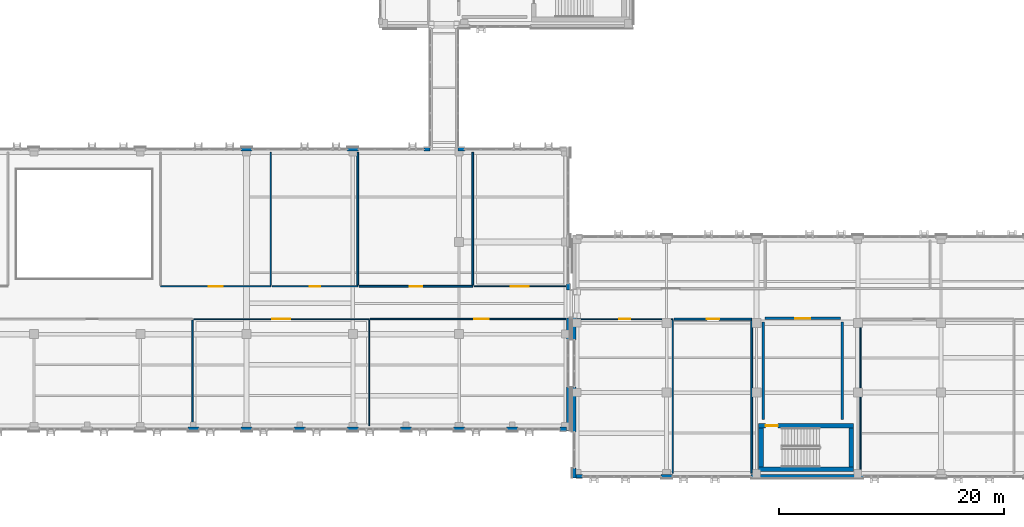
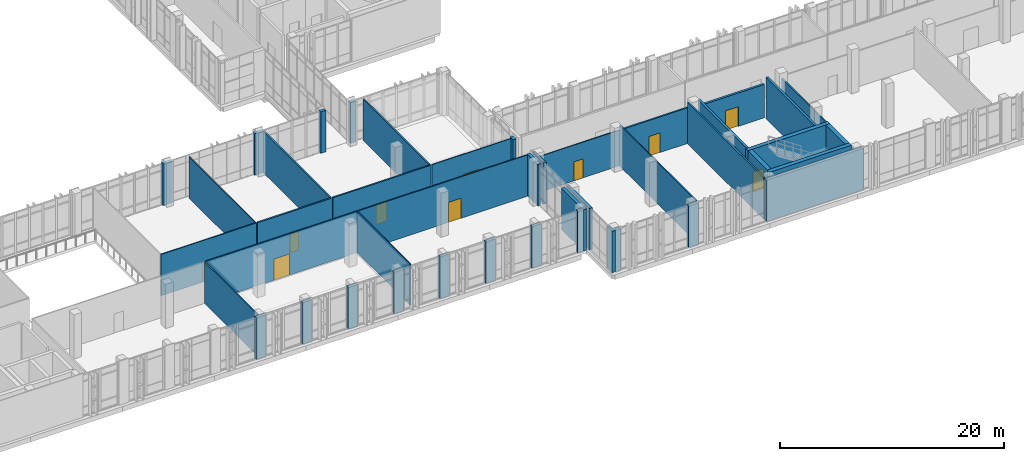
# One storey, part 153 of 189: 44 walls, 10 doors, 10 openings.
"""IFC4 building model written with IfcOpenShell, lengths in metres."""

import ifcopenshell
import ifcopenshell.guid

model = None  # the IFC model being written
_history = None  # IfcOwnerHistory: only IFC2X3 demands one
_inside = {}  # id of a spatial element -> (the spatial element, [elements in it])
_under = {}  # id of a project, library or spatial element -> (it, [spatial elements below it])
_declared = {}  # id of a project -> (the project, [libraries it declares])
_typed = {}  # id of a type object -> (the type object, [elements of that type])
_made_of = {}  # id of a material, layer set ... -> (it, [elements and type objects made of it])


def new_model(schema):
    """Start an empty IFC model of exactly this schema.

    Asked for "IFC4X3", IfcOpenShell would pick the latest addendum, in which some entities
    have other attributes; the version numbers below select the first issue.
    IFC2X3 requires an IfcOwnerHistory on every rooted entity: one is made here for all.
    """
    global model, _history
    if schema == "IFC4X3":
        model = ifcopenshell.file(schema_version=(4, 3, 0, 0))
    else:
        model = ifcopenshell.file(schema=schema)
    _inside.clear()
    _under.clear()
    _declared.clear()
    _typed.clear()
    _made_of.clear()
    _history = None
    if model.schema == "IFC2X3":
        org = make("IfcOrganization", Name="unknown")
        user = make(
            "IfcPersonAndOrganization",
            ThePerson=make("IfcPerson", FamilyName="unknown"),
            TheOrganization=org,
        )
        app = make(
            "IfcApplication",
            ApplicationDeveloper=org,
            Version="unknown",
            ApplicationFullName="unknown",
            ApplicationIdentifier="unknown",
        )
        _history = make(
            "IfcOwnerHistory",
            OwningUser=user,
            OwningApplication=app,
            ChangeAction="ADDED",
            CreationDate=0,
        )
    return model


def make(cls, **values):
    """One entity of the class cls with the attributes given. An attribute that is None is left unset."""
    return model.create_entity(
        cls, **{name: value for name, value in values.items() if value is not None}
    )


def rooted(cls, **values):
    """An entity with a GlobalId (a new one), such as an element, a storey or a relation."""
    return make(cls, GlobalId=ifcopenshell.guid.new(), OwnerHistory=_history, **values)


def si_unit(unit_type, name, prefix=None):
    """IfcSIUnit, for example si_unit("LENGTHUNIT", "METRE", prefix="MILLI")."""
    return make("IfcSIUnit", UnitType=unit_type, Prefix=prefix, Name=name)


def assignment(units):
    """IfcUnitAssignment: the units of a project."""
    return None if units is None else make("IfcUnitAssignment", Units=units)


def point(xyz):
    """IfcCartesianPoint."""
    return None if xyz is None else make("IfcCartesianPoint", Coordinates=xyz)


def direction(xyz):
    """IfcDirection."""
    return None if xyz is None else make("IfcDirection", DirectionRatios=xyz)


def frame(location, z_axis=None, x_axis=None):
    """IfcAxis2Placement3D, a coordinate frame: its origin and axes. An axis left out is left unset."""
    return make(
        "IfcAxis2Placement3D",
        Location=point(location),
        Axis=direction(z_axis),
        RefDirection=direction(x_axis),
    )


def frame_2d(location, x_axis=None):
    """IfcAxis2Placement2D, a coordinate frame in the plane: its origin and x axis."""
    return make(
        "IfcAxis2Placement2D", Location=point(location), RefDirection=direction(x_axis)
    )


def origin():
    """The frame at (0, 0, 0) with its axes left unset."""
    return frame((0.0, 0.0, 0.0))


def place(relative_to, where):
    """IfcLocalPlacement: puts the frame where relative to a parent placement (None: the world)."""
    return make(
        "IfcLocalPlacement", PlacementRelTo=relative_to, RelativePlacement=where
    )


def context(
    kind, dimensions, precision=None, world=None, true_north=None, identifier=None
):
    """IfcGeometricRepresentationContext, for example the 3D "Model" context."""
    return make(
        "IfcGeometricRepresentationContext",
        ContextIdentifier=identifier,
        ContextType=kind,
        CoordinateSpaceDimension=dimensions,
        Precision=precision,
        WorldCoordinateSystem=world,
        TrueNorth=true_north,
    )


def subcontext(parent, identifier, kind, view, scale=None):
    """IfcGeometricRepresentationSubContext, for example "Body" below "Model"."""
    return make(
        "IfcGeometricRepresentationSubContext",
        ContextIdentifier=identifier,
        ContextType=kind,
        ParentContext=parent,
        TargetScale=scale,
        TargetView=view,
    )


def project(units=None, contexts=None):
    """IfcProject with its units and contexts."""
    return rooted(
        "IfcProject",
        Name="project",
        RepresentationContexts=contexts,
        UnitsInContext=assignment(units),
    )


def spatial(cls, under=None, at=None, **own):
    """A site, building, storey or space (cls), placed at a placement, below another one or the project."""
    s = rooted(cls, ObjectPlacement=at, **own)
    if under is not None:
        _under.setdefault(under.id(), (under, []))[1].append(s)
    return s


def profile(cls, at=None, kind="AREA", **sizes):
    """A parametric profile (cls). Its sizes go by their IFC names, for example OverallWidth=200.0."""
    return make(cls, ProfileType=kind, Position=at, **sizes)


def rectangle(**sizes):
    """IfcRectangleProfileDef."""
    return profile("IfcRectangleProfileDef", **sizes)


def extrude(swept, where, along, depth):
    """IfcExtrudedAreaSolid: the profile swept, set in the frame where, extruded along a direction by depth."""
    return make(
        "IfcExtrudedAreaSolid",
        SweptArea=swept,
        Position=where,
        ExtrudedDirection=direction(along),
        Depth=depth,
    )


def shape(context_of_items, identifier, shape_type, items):
    """IfcShapeRepresentation: the items that make up one representation, for example the "Body"."""
    return make(
        "IfcShapeRepresentation",
        ContextOfItems=context_of_items,
        RepresentationIdentifier=identifier,
        RepresentationType=shape_type,
        Items=items,
    )


def material(Name=None, Category=None):
    """IfcMaterial."""
    return make("IfcMaterial", Name=Name, Category=Category)


def layer(
    of_material, thickness, ventilated=None, Name=None, Category=None, Priority=None
):
    """IfcMaterialLayer: one layer of a wall or slab, of a material (None: an air gap)."""
    return make(
        "IfcMaterialLayer",
        Material=of_material,
        LayerThickness=thickness,
        IsVentilated=ventilated,
        Name=Name,
        Category=Category,
        Priority=Priority,
    )


def layer_set(layers, Name=None):
    """IfcMaterialLayerSet."""
    return make("IfcMaterialLayerSet", MaterialLayers=layers, LayerSetName=Name)


def made_of(thing, what):
    """Note that an element or type object is made of a material, layer set ...; save() writes the relation."""
    if what is not None:
        _made_of.setdefault(what.id(), (what, []))[1].append(thing)
    return thing


def type_object(cls, material=None, **own):
    """A type object (cls), such as IfcWallType, which elements share."""
    return made_of(rooted(cls, **own), material)


def element(
    cls,
    number,
    at=None,
    inside=None,
    cuts=None,
    type_object=None,
    material=None,
    context=None,
    identifier="Body",
    shape_type=None,
    held_by="IfcProductDefinitionShape",
    body=None,
    shapes=None,
    **own,
):
    """One element of the class cls, such as IfcWall. Its Tag is "e" and its number.

    at: its placement. inside: the storey or other place that contains it. cuts: it is an
    opening in that element (IfcRelVoidsElement). A single representation is given by context,
    identifier, shape_type and body (its items); several are given by shapes. held_by: the class
    of the entity that holds the representations. save() writes the other relations.
    """
    e = rooted(cls, Tag="e%d" % number, ObjectPlacement=at, **own)
    if body is not None:
        shapes = [shape(context, identifier, shape_type, body)]
    if shapes is not None:
        e.Representation = make(held_by, Representations=shapes)
    if inside is not None:
        _inside.setdefault(inside.id(), (inside, []))[1].append(e)
    if cuts is not None:
        rooted(
            "IfcRelVoidsElement", RelatingBuildingElement=cuts, RelatedOpeningElement=e
        )
    if type_object is not None:
        _typed.setdefault(type_object.id(), (type_object, []))[1].append(e)
    return made_of(e, material)


def fill(opening, filler):
    """IfcRelFillsElement: the door or window that sits in an opening."""
    return rooted(
        "IfcRelFillsElement",
        RelatingOpeningElement=opening,
        RelatedBuildingElement=filler,
    )


def aggregate(whole, parts):
    """IfcRelAggregates: a whole, such as a stair, and the parts it consists of."""
    return rooted("IfcRelAggregates", RelatingObject=whole, RelatedObjects=parts)


def save(model, path):
    """Write the relations noted so far, then the file.

    IfcRelAggregates (storeys below a building ...), IfcRelContainedInSpatialStructure (elements
    in a storey), IfcRelDefinesByType, IfcRelAssociatesMaterial and IfcRelDeclares: one each for
    every whole, place, type object, material and project.
    """
    for whole, parts in _under.values():
        aggregate(whole, parts)
    for where, things in _inside.values():
        rooted(
            "IfcRelContainedInSpatialStructure",
            RelatedElements=things,
            RelatingStructure=where,
        )
    for kind, things in _typed.values():
        rooted("IfcRelDefinesByType", RelatedObjects=things, RelatingType=kind)
    for what, things in _made_of.values():
        rooted("IfcRelAssociatesMaterial", RelatedObjects=things, RelatingMaterial=what)
    for by, libraries in _declared.values():
        rooted("IfcRelDeclares", RelatingContext=by, RelatedDefinitions=libraries)
    model.write(path)


model = new_model("IFC4")

# Units and contexts
model_context = context("Model", 3, precision=1e-05, world=origin(), true_north=direction((0.0, 1.0)))
body_context = subcontext(model_context, "Body", "Model", "MODEL_VIEW")
ifc_project = project(units=[si_unit("LENGTHUNIT", "METRE"), si_unit("AREAUNIT", "SQUARE_METRE"), si_unit("VOLUMEUNIT", "CUBIC_METRE"), si_unit("PLANEANGLEUNIT", "RADIAN"), si_unit("MASSUNIT", "GRAM", prefix="KILO")], contexts=[model_context])

# Site, building, storey
site_placement = place(None, origin())
site = spatial("IfcSite", under=ifc_project, at=site_placement, CompositionType="ELEMENT")
building_placement = place(site_placement, origin())
building = spatial("IfcBuilding", under=site, at=building_placement, Name="Qalavern Law Courts", CompositionType="ELEMENT")
storey_placement = place(building_placement, frame((0.0, 0.0, 5.39990234375)))
storey = spatial("IfcBuildingStorey", under=building, at=storey_placement, Name="L01", CompositionType="ELEMENT", Elevation=5.39990234375)

# Walls
ifc_material_1 = material(Name="Concrete C40/50", Category="concrete")
ifc_layer_1 = layer(ifc_material_1, 0.324951171875)
ifc_layer_set_1 = layer_set([ifc_layer_1], Name="Concrete C40/50")
wall_type_1 = type_object("IfcWallType", Name="ENV-EW-325", PredefinedType="SOLIDWALL", material=ifc_layer_set_1)
for number, where, z_axis, x_axis, name in (
    (1, (67.2099609375, 5.362548828125, 0.0), (0.0, 0.0, 1.0), (1.0, 0.0, 0.0), "V2 exterior pier wall L01 south 5"),
    (2, (71.93701171875, 5.362548828125, 0.0), (0.0, 0.0, 1.0), (1.0, 0.0, 0.0), "V2 exterior pier wall L01 south 6"),
    (3, (76.6640625, 5.362548828125, 0.0), (0.0, 0.0, 1.0), (1.0, 0.0, 0.0), "V2 exterior pier wall L01 south 7"),
    (4, (81.391357421875, 5.362548828125, 0.0), (0.0, 0.0, 1.0), (1.0, 0.0, 0.0), "V2 exterior pier wall L01 south 8"),
    (5, (86.118896484375, 5.362548828125, 0.0), (0.0, 0.0, 1.0), (1.0, 0.0, 0.0), "V2 exterior pier wall L01 south 9"),
    (6, (90.845703125, 5.362548828125, 0.0), (0.0, 0.0, 1.0), (1.0, 0.0, 0.0), "V2 exterior pier wall L01 south 10"),
    (7, (95.572998046875, 5.362548828125, 0.0), (0.0, 0.0, 1.0), (1.0, 0.0, 0.0), "V2 exterior pier wall L01 south 11"),
):
    element("IfcWall", number, at=place(storey_placement, frame(where, z_axis=z_axis, x_axis=x_axis)), inside=storey, type_object=wall_type_1, Name=name, PredefinedType="SOLIDWALL", context=body_context, shape_type="SweptSolid", body=[
        extrude(rectangle(XDim=1.0, YDim=0.324951171875, at=frame_2d((0.5, 0.0))), origin(), (0.0, 0.0, 1.0), 4.510009765625),
    ])
wall_1_placement = place(storey_placement, frame((100.300048828125, 5.362548828125, 0.0), z_axis=(0.0, 0.0, 1.0), x_axis=(1.0, 0.0, 0.0)))
element("IfcWall", 8, at=wall_1_placement, inside=storey, type_object=wall_type_1, Name="V2 exterior pier wall L01 south 12", PredefinedType="SOLIDWALL", context=body_context, shape_type="SweptSolid", body=[
    extrude(rectangle(XDim=0.579833984375, YDim=0.324951171875, at=frame_2d((0.2900390625, 0.0))), origin(), (0.0, 0.0, 1.0), 4.510009765625),
])
wall_2_placement = place(storey_placement, frame((101.03759765625, 5.199951171875, 0.0), z_axis=(0.0, 0.0, 1.0), x_axis=(0.0, 1.0, 0.0)))
element("IfcWall", 9, at=wall_2_placement, inside=storey, type_object=wall_type_1, Name="V2 exterior pier wall L01 east 1", PredefinedType="SOLIDWALL", context=body_context, shape_type="SweptSolid", body=[
    extrude(rectangle(XDim=3.900146484375, YDim=0.324951171875, at=frame_2d((1.9501953125, 0.0))), origin(), (0.0, 0.0, 1.0), 4.510009765625),
])
wall_3_placement = place(storey_placement, frame((101.03759765625, 13.300048828125, 0.0), z_axis=(0.0, 0.0, 1.0), x_axis=(0.0, 1.0, 0.0)))
element("IfcWall", 10, at=wall_3_placement, inside=storey, type_object=wall_type_1, Name="V2 exterior pier wall L01 east 2", PredefinedType="SOLIDWALL", context=body_context, shape_type="SweptSolid", body=[
    extrude(rectangle(XDim=1.949951171875, YDim=0.324951171875, at=frame_2d((0.97509765625, 0.0))), origin(), (0.0, 0.0, 1.0), 4.510009765625),
])
wall_4_placement = place(storey_placement, frame((101.03759765625, 17.75, 0.0), z_axis=(0.0, 0.0, 1.0), x_axis=(0.0, 1.0, 0.0)))
element("IfcWall", 11, at=wall_4_placement, inside=storey, type_object=wall_type_1, Name="V2 exterior pier wall L01 east 1", PredefinedType="SOLIDWALL", context=body_context, shape_type="SweptSolid", body=[
    extrude(rectangle(XDim=0.550048828125, YDim=0.324951171875, at=frame_2d((0.27490234375, 0.0))), origin(), (0.0, 0.0, 1.0), 4.510009765625),
])
wall_5_placement = place(storey_placement, frame((91.845703125, 30.237548828125, 0.0), z_axis=(0.0, 0.0, 1.0), x_axis=(-1.0, 0.0, 0.0)))
element("IfcWall", 12, at=wall_5_placement, inside=storey, type_object=wall_type_1, Name="V2 exterior pier wall L01 north 2", PredefinedType="SOLIDWALL", context=body_context, shape_type="SweptSolid", body=[
    extrude(rectangle(XDim=0.595703125, YDim=0.324951171875, at=frame_2d((0.2978515625, 0.0))), origin(), (0.0, 0.0, 1.0), 4.510009765625),
])
wall_6_placement = place(storey_placement, frame((88.75, 30.237548828125, 0.0), z_axis=(0.0, 0.0, 1.0), x_axis=(-1.0, 0.0, 0.0)))
element("IfcWall", 13, at=wall_6_placement, inside=storey, type_object=wall_type_1, Name="V2 exterior pier wall L01 north 1", PredefinedType="SOLIDWALL", context=body_context, shape_type="SweptSolid", body=[
    extrude(rectangle(XDim=0.550048828125, YDim=0.324951171875, at=frame_2d((0.27490234375, 0.0))), origin(), (0.0, 0.0, 1.0), 4.510009765625),
])
for number, where, z_axis, x_axis, name in (
    (14, (82.391357421875, 30.237548828125, 0.0), (0.0, 0.0, 1.0), (-1.0, 0.0, 0.0), "V2 exterior pier wall L01 north 2"),
    (15, (72.93701171875, 30.237548828125, 0.0), (0.0, 0.0, 1.0), (-1.0, 0.0, 0.0), "V2 exterior pier wall L01 north 3"),
):
    element("IfcWall", number, at=place(storey_placement, frame(where, z_axis=z_axis, x_axis=x_axis)), inside=storey, type_object=wall_type_1, Name=name, PredefinedType="SOLIDWALL", context=body_context, shape_type="SweptSolid", body=[
        extrude(rectangle(XDim=1.0, YDim=0.324951171875, at=frame_2d((0.5, 0.0))), origin(), (0.0, 0.0, 1.0), 4.510009765625),
    ])
wall_7_placement = place(storey_placement, frame((101.739990234375, 1.16259765625, 0.0), z_axis=(0.0, 0.0, 1.0), x_axis=(1.0, 0.0, 0.0)))
element("IfcWall", 16, at=wall_7_placement, inside=storey, type_object=wall_type_1, Name="V6 exterior pier wall L01 south 1", PredefinedType="SOLIDWALL", context=body_context, shape_type="SweptSolid", body=[
    extrude(rectangle(XDim=0.580078125, YDim=0.324951171875, at=frame_2d((0.2900390625, 0.0))), origin(), (0.0, 0.0, 1.0), 4.510009765625),
])
wall_8_placement = place(storey_placement, frame((109.300048828125, 1.16259765625, 0.0), z_axis=(0.0, 0.0, 1.0), x_axis=(1.0, 0.0, 0.0)))
element("IfcWall", 17, at=wall_8_placement, inside=storey, type_object=wall_type_1, Name="V6 exterior pier wall L01 south 2", PredefinedType="SOLIDWALL", context=body_context, shape_type="SweptSolid", body=[
    extrude(rectangle(XDim=1.0, YDim=0.324951171875, at=frame_2d((0.5, 0.0))), origin(), (0.0, 0.0, 1.0), 4.510009765625),
])
wall_9_placement = place(storey_placement, frame((117.300048828125, 1.16259765625, 0.0), z_axis=(0.0, 0.0, 1.0), x_axis=(1.0, 0.0, 0.0)))
element("IfcWall", 18, at=wall_9_placement, inside=storey, type_object=wall_type_1, Name="V6 exterior pier wall L01 south 3", PredefinedType="SOLIDWALL", context=body_context, shape_type="SweptSolid", body=[
    extrude(rectangle(XDim=10.0, YDim=0.324951171875, at=frame_2d((5.0, 0.0))), origin(), (0.0, 0.0, 1.0), 4.510009765625),
])
wall_10_placement = place(storey_placement, frame((101.58251953125, 15.25, 0.0), z_axis=(0.0, 0.0, 1.0), x_axis=(0.0, -1.0, 0.0)))
element("IfcWall", 19, at=wall_10_placement, inside=storey, type_object=wall_type_1, Name="V6 exterior pier wall L01 west 1", PredefinedType="SOLIDWALL", context=body_context, shape_type="SweptSolid", body=[
    extrude(rectangle(XDim=1.949951171875, YDim=0.324951171875, at=frame_2d((0.97509765625, 0.0))), origin(), (0.0, 0.0, 1.0), 4.510009765625),
])
wall_11_placement = place(storey_placement, frame((101.58251953125, 9.10009765625, 0.0), z_axis=(0.0, 0.0, 1.0), x_axis=(0.0, -1.0, 0.0)))
element("IfcWall", 20, at=wall_11_placement, inside=storey, type_object=wall_type_1, Name="V6 exterior pier wall L01 west 2", PredefinedType="SOLIDWALL", context=body_context, shape_type="SweptSolid", body=[
    extrude(rectangle(XDim=4.0, YDim=0.324951171875, at=frame_2d((2.0, 0.0))), origin(), (0.0, 0.0, 1.0), 4.510009765625),
])
wall_12_placement = place(storey_placement, frame((101.58251953125, 1.89990234375, 0.0), z_axis=(0.0, 0.0, 1.0), x_axis=(0.0, -1.0, 0.0)))
element("IfcWall", 21, at=wall_12_placement, inside=storey, type_object=wall_type_1, Name="V6 exterior pier wall L01 west 3", PredefinedType="SOLIDWALL", context=body_context, shape_type="SweptSolid", body=[
    extrude(rectangle(XDim=0.89990234375, YDim=0.324951171875, at=frame_2d((0.449951171875, 0.0))), origin(), (0.0, 0.0, 1.0), 4.510009765625),
])
ifc_material_2 = material(Name="Concrete C45/55", Category="concrete")
ifc_layer_2 = layer(ifc_material_2, 0.4150390625)
ifc_layer_set_2 = layer_set([ifc_layer_2], Name="Concrete C45/55")
wall_type_2 = type_object("IfcWallType", Name="INT-CW-415", PredefinedType="SHEAR", material=ifc_layer_set_2)
wall_13_placement = place(storey_placement, frame((117.985107421875, 1.79248046875, 0.0), z_axis=(0.0, 0.0, 1.0), x_axis=(1.0, 0.0, 0.0)))
element("IfcWall", 22, at=wall_13_placement, inside=storey, type_object=wall_type_2, Name="Core K5 stair shear wall L01 south", PredefinedType="SHEAR", context=body_context, shape_type="SweptSolid", body=[
    extrude(rectangle(XDim=8.429931640625, YDim=0.4150390625, at=frame_2d((4.21484375, 0.0))), origin(), (0.0, 0.0, 1.0), 4.800048828125),
])
wall_14_placement = place(storey_placement, frame((126.20751953125, 2.0, 0.0), z_axis=(0.0, 0.0, 1.0), x_axis=(0.0, 1.0, 0.0)))
element("IfcWall", 23, at=wall_14_placement, inside=storey, type_object=wall_type_2, Name="Core K5 stair shear wall L01 east", PredefinedType="SHEAR", context=body_context, shape_type="SweptSolid", body=[
    extrude(rectangle(XDim=3.449951171875, YDim=0.4150390625, at=frame_2d((1.72509765625, 0.0))), origin(), (0.0, 0.0, 1.0), 4.800048828125),
])

# Wall, opening, door
wall_15_placement = place(storey_placement, frame((126.4150390625, 5.657470703125, 0.0), z_axis=(0.0, 0.0, 1.0), x_axis=(-1.0, 0.0, 0.0)))
wall_15 = element("IfcWall", 24, at=wall_15_placement, inside=storey, type_object=wall_type_2, Name="Core K5 stair shear wall L01 north", PredefinedType="SHEAR", context=body_context, shape_type="SweptSolid", body=[
    extrude(rectangle(XDim=8.429931640625, YDim=0.4150390625, at=frame_2d((4.21484375, 0.0))), origin(), (0.0, 0.0, 1.0), 4.800048828125),
])
opening_1_placement = place(wall_15_placement, frame((6.715087890625, 0.0, 0.0)))
opening_1 = element("IfcOpeningElement", 25, at=opening_1_placement, cuts=wall_15, Name="Opening L01-D107", PredefinedType="OPENING", context=body_context, shape_type="SweptSolid", body=[
    extrude(rectangle(XDim=1.10009765625, YDim=2.14990234375, at=frame_2d((0.550048828125, 1.074951171875))), frame((0.0, 0.222412109375, 0.0), z_axis=(0.0, -1.0, 0.0), x_axis=(1.0, 0.0, 0.0)), (0.0, 0.0, 1.0), 0.44482421875),
])
ifc_material_3 = material(Name="Steel fire-rated stair enclosure door", Category="steel")
door_type_1 = type_object("IfcDoorType", Name="INT-FD-1100x2150", OperationType="NOTDEFINED", PredefinedType="DOOR", material=ifc_material_3)
door_1_placement = place(opening_1_placement, frame((1.10009765625, 0.0, 0.0), z_axis=(0.0, 0.0, 1.0), x_axis=(-1.0, 0.0, 0.0)))
door_1 = element("IfcDoor", 26, at=door_1_placement, inside=storey, type_object=door_type_1, Name="Stair K5 fire door L01", OperationType="SINGLE_SWING_RIGHT", OverallHeight=2.14990234375, OverallWidth=1.10009765625, PredefinedType="DOOR", context=body_context, shape_type="SweptSolid", body=[
    extrude(rectangle(XDim=1.10009765625, YDim=2.14990234375, at=frame_2d((0.550048828125, 1.074951171875))), frame((0.0, 0.02490234375, 0.0), z_axis=(0.0, -1.0, 0.0), x_axis=(1.0, 0.0, 0.0)), (0.0, 0.0, 1.0), 0.050048828125),
])
fill(opening_1, door_1)

# Wall
wall_16_placement = place(storey_placement, frame((118.1923828125, 5.449951171875, 0.0), z_axis=(0.0, 0.0, 1.0), x_axis=(0.0, -1.0, 0.0)))
element("IfcWall", 27, at=wall_16_placement, inside=storey, type_object=wall_type_2, Name="Core K5 stair shear wall L01 west", PredefinedType="SHEAR", context=body_context, shape_type="SweptSolid", body=[
    extrude(rectangle(XDim=3.449951171875, YDim=0.4150390625, at=frame_2d((1.72509765625, 0.0))), origin(), (0.0, 0.0, 1.0), 4.800048828125),
])

# Wall, opening, door
ifc_layer_3 = layer(ifc_material_1, 0.22509765625)
ifc_layer_set_3 = layer_set([ifc_layer_3], Name="Concrete C40/50")
wall_type_3 = type_object("IfcWallType", Name="INT-FW-225", PredefinedType="PARTITIONING", material=ifc_layer_set_3)
wall_17_placement = place(storey_placement, frame((118.550048828125, 15.199951171875, 0.0), z_axis=(0.0, 0.0, 1.0), x_axis=(1.0, 0.0, 0.0)))
wall_17 = element("IfcWall", 28, at=wall_17_placement, inside=storey, type_object=wall_type_3, Name="Core K5 firefighting/stair lobby fire wall L01", PredefinedType="PARTITIONING", context=body_context, shape_type="SweptSolid", body=[
    extrude(rectangle(XDim=6.699951171875, YDim=0.22509765625, at=frame_2d((3.35009765625, 0.0))), origin(), (0.0, 0.0, 1.0), 3.64013671875),
])
opening_2_placement = place(wall_17_placement, frame((2.699951171875, 0.0, 0.0)))
opening_2 = element("IfcOpeningElement", 29, at=opening_2_placement, cuts=wall_17, Name="Opening L01-D108", PredefinedType="OPENING", context=body_context, shape_type="SweptSolid", body=[
    extrude(rectangle(XDim=1.300048828125, YDim=2.14990234375, at=frame_2d((0.64990234375, 1.074951171875))), frame((0.0, 0.12744140625, 0.0), z_axis=(0.0, -1.0, 0.0), x_axis=(1.0, 0.0, 0.0)), (0.0, 0.0, 1.0), 0.2548828125),
])
ifc_material_4 = material(Name="Steel fire-rated frame and acoustic timber leaves", Category="steel")
door_type_2 = type_object("IfcDoorType", Name="INT-FD-1300x2150", OperationType="DOUBLE_DOOR_SINGLE_SWING", PredefinedType="DOOR", material=ifc_material_4)
door_2_placement = place(opening_2_placement, origin())
door_2 = element("IfcDoor", 30, at=door_2_placement, inside=storey, type_object=door_type_2, Name="Core K5 lobby fire door L01", OperationType="DOUBLE_DOOR_SINGLE_SWING", OverallHeight=2.14990234375, OverallWidth=1.300048828125, PredefinedType="DOOR", context=body_context, shape_type="SweptSolid", body=[
    extrude(rectangle(XDim=1.300048828125, YDim=2.14990234375, at=frame_2d((0.64990234375, 1.074951171875))), frame((0.0, 0.02490234375, 0.0), z_axis=(0.0, -1.0, 0.0), x_axis=(1.0, 0.0, 0.0)), (0.0, 0.0, 1.0), 0.050048828125),
])
fill(opening_2, door_2)

# Walls
for number, where, z_axis, x_axis, name in (
    (31, (118.39990234375, 6.199951171875, 0.0), (0.0, 0.0, 1.0), (0.0, 1.0, 0.0), "Core K5 lobby return wall L01 west"),
    (32, (125.39990234375, 6.199951171875, 0.0), (0.0, 0.0, 1.0), (0.0, 1.0, 0.0), "Core K5 lobby return wall L01 east"),
):
    element("IfcWall", number, at=place(storey_placement, frame(where, z_axis=z_axis, x_axis=x_axis)), inside=storey, type_object=wall_type_3, Name=name, PredefinedType="PARTITIONING", context=body_context, shape_type="SweptSolid", body=[
        extrude(rectangle(XDim=8.699951171875, YDim=0.22509765625, at=frame_2d((4.35009765625, 0.0))), origin(), (0.0, 0.0, 1.0), 4.510009765625),
    ])

# Wall, opening, door
ifc_material_5 = material(Name="Gypsum shaft/chase partition")
ifc_layer_4 = layer(ifc_material_5, 0.092041015625)
ifc_layer_set_4 = layer_set([ifc_layer_4], Name="Gypsum shaft/chase partition")
wall_type_4 = type_object("IfcWallType", Name="INT-PW-092", PredefinedType="PARTITIONING", material=ifc_layer_set_4)
wall_18_placement = place(storey_placement, frame((67.738037109375, 15.139892578125, 0.0), z_axis=(0.0, 0.0, 1.0), x_axis=(1.0, 0.0, 0.0)))
wall_18 = element("IfcWall", 33, at=wall_18_placement, inside=storey, type_object=wall_type_4, Name="Administrative Courtroom corridor partition L01", PredefinedType="PARTITIONING", context=body_context, shape_type="SweptSolid", body=[
    extrude(rectangle(XDim=15.595947265625, YDim=0.092041015625, at=frame_2d((7.7978515625, 0.0))), origin(), (0.0, 0.0, 1.0), 4.510009765625),
])
opening_3_placement = place(wall_18_placement, frame((6.998046875, 0.0, 0.0)))
opening_3 = element("IfcOpeningElement", 34, at=opening_3_placement, cuts=wall_18, Name="Opening L01-D162", PredefinedType="OPENING", context=body_context, shape_type="SweptSolid", body=[
    extrude(rectangle(XDim=1.60009765625, YDim=2.300048828125, at=frame_2d((0.800048828125, 1.14990234375))), frame((0.0, 0.06103515625, 0.0), z_axis=(0.0, -1.0, 0.0), x_axis=(1.0, 0.0, 0.0)), (0.0, 0.0, 1.0), 0.121826171875),
])
ifc_material_6 = material(Name="Acoustic oak double Criminal Courtroom door")
door_type_3 = type_object("IfcDoorType", Name="INT-ID-1600x2300", OperationType="DOUBLE_DOOR_SINGLE_SWING", PredefinedType="DOOR", material=ifc_material_6)
door_3_placement = place(opening_3_placement, frame((1.60009765625, 0.0, 0.0), z_axis=(0.0, 0.0, 1.0), x_axis=(-1.0, 0.0, 0.0)))
door_3 = element("IfcDoor", 35, at=door_3_placement, inside=storey, type_object=door_type_3, Name="Administrative Courtroom door L01", OperationType="DOUBLE_DOOR_SINGLE_SWING", OverallHeight=2.300048828125, OverallWidth=1.60009765625, PredefinedType="DOOR", context=body_context, shape_type="SweptSolid", body=[
    extrude(rectangle(XDim=1.60009765625, YDim=2.300048828125, at=frame_2d((0.800048828125, 1.14990234375))), frame((0.0, 0.02490234375, 0.0), z_axis=(0.0, -1.0, 0.0), x_axis=(1.0, 0.0, 0.0)), (0.0, 0.0, 1.0), 0.050048828125),
])
fill(opening_3, door_3)

# Wall
wall_19_placement = place(storey_placement, frame((83.333984375, 5.639892578125, 0.0), z_axis=(0.0, 0.0, 1.0), x_axis=(0.0, 1.0, 0.0)))
element("IfcWall", 36, at=wall_19_placement, inside=storey, type_object=wall_type_4, Name="Administrative Courtroom cross partition L01 east", PredefinedType="PARTITIONING", context=body_context, shape_type="SweptSolid", body=[
    extrude(rectangle(XDim=9.43408203125, YDim=0.092041015625, at=frame_2d((4.717041015625, 0.0))), origin(), (0.0, 0.0, 1.0), 4.510009765625),
])

# Wall, opening, door
wall_20_placement = place(storey_placement, frame((92.66796875, 18.06005859375, 0.0), z_axis=(0.0, 0.0, 1.0), x_axis=(1.0, 0.0, 0.0)))
wall_20 = element("IfcWall", 37, at=wall_20_placement, inside=storey, type_object=wall_type_4, Name="Administrative Courtroom corridor partition L01", PredefinedType="PARTITIONING", context=body_context, shape_type="SweptSolid", body=[
    extrude(rectangle(XDim=8.152099609375, YDim=0.092041015625, at=frame_2d((4.076171875, 0.0))), origin(), (0.0, 0.0, 1.0), 4.510009765625),
])
opening_4_placement = place(wall_20_placement, frame((3.27587890625, 0.0, 0.0)))
opening_4 = element("IfcOpeningElement", 38, at=opening_4_placement, cuts=wall_20, Name="Opening L01-D167", PredefinedType="OPENING", context=body_context, shape_type="SweptSolid", body=[
    extrude(rectangle(XDim=1.60009765625, YDim=2.300048828125, at=frame_2d((0.800048828125, 1.14990234375))), frame((0.0, 0.06103515625, 0.0), z_axis=(0.0, -1.0, 0.0), x_axis=(1.0, 0.0, 0.0)), (0.0, 0.0, 1.0), 0.121826171875),
])
door_4_placement = place(opening_4_placement, origin())
door_4 = element("IfcDoor", 39, at=door_4_placement, inside=storey, type_object=door_type_3, Name="Administrative Courtroom door L01", OperationType="DOUBLE_DOOR_SINGLE_SWING", OverallHeight=2.300048828125, OverallWidth=1.60009765625, PredefinedType="DOOR", context=body_context, shape_type="SweptSolid", body=[
    extrude(rectangle(XDim=1.60009765625, YDim=2.300048828125, at=frame_2d((0.800048828125, 1.14990234375))), frame((0.0, 0.02490234375, 0.0), z_axis=(0.0, -1.0, 0.0), x_axis=(1.0, 0.0, 0.0)), (0.0, 0.0, 1.0), 0.050048828125),
])
fill(opening_4, door_4)

ifc_material_7 = material(Name="Gypsum sanitary partition")
ifc_layer_5 = layer(ifc_material_7, 0.10205078125)
ifc_layer_set_5 = layer_set([ifc_layer_5], Name="Gypsum sanitary partition")
wall_type_5 = type_object("IfcWallType", Name="INT-PW-102", PredefinedType="PARTITIONING", material=ifc_layer_set_5)
wall_21_placement = place(storey_placement, frame((64.7900390625, 18.06005859375, 0.0), z_axis=(0.0, 0.0, 1.0), x_axis=(1.0, 0.0, 0.0)))
wall_21 = element("IfcWall", 40, at=wall_21_placement, inside=storey, type_object=wall_type_5, Name="Witness Waiting Room corridor partition L01", PredefinedType="PARTITIONING", context=body_context, shape_type="SweptSolid", body=[
    extrude(rectangle(XDim=9.802978515625, YDim=0.10205078125, at=frame_2d((4.9013671875, 0.0))), origin(), (0.0, 0.0, 1.0), 4.510009765625),
])
opening_5_placement = place(wall_21_placement, frame((4.29150390625, 0.0, 0.0)))
opening_5 = element("IfcOpeningElement", 41, at=opening_5_placement, cuts=wall_21, Name="Opening L01-D164", PredefinedType="OPENING", context=body_context, shape_type="SweptSolid", body=[
    extrude(rectangle(XDim=1.219970703125, YDim=2.179931640625, at=frame_2d((0.60986328125, 1.08984375))), frame((0.0, 0.06591796875, 0.0), z_axis=(0.0, -1.0, 0.0), x_axis=(1.0, 0.0, 0.0)), (0.0, 0.0, 1.0), 0.1318359375),
])
ifc_material_8 = material(Name="Wide oak Plenary Boardroom door")
door_type_4 = type_object("IfcDoorType", Name="INT-ID-1220x2180", OperationType="NOTDEFINED", PredefinedType="DOOR", material=ifc_material_8)
door_5_placement = place(opening_5_placement, origin())
door_5 = element("IfcDoor", 42, at=door_5_placement, inside=storey, type_object=door_type_4, Name="Witness Waiting Room door L01", OperationType="SINGLE_SWING_LEFT", OverallHeight=2.179931640625, OverallWidth=1.219970703125, PredefinedType="DOOR", context=body_context, shape_type="SweptSolid", body=[
    extrude(rectangle(XDim=1.219970703125, YDim=2.179931640625, at=frame_2d((0.60986328125, 1.08984375))), frame((0.0, 0.02490234375, 0.0), z_axis=(0.0, -1.0, 0.0), x_axis=(1.0, 0.0, 0.0)), (0.0, 0.0, 1.0), 0.050048828125),
])
fill(opening_5, door_5)

# Wall
wall_22_placement = place(storey_placement, frame((74.593017578125, 18.131103515625, 0.0), z_axis=(0.0, 0.0, 1.0), x_axis=(0.0, 1.0, 0.0)))
element("IfcWall", 43, at=wall_22_placement, inside=storey, type_object=wall_type_5, Name="Witness Waiting Room cross partition L01 east", PredefinedType="PARTITIONING", context=body_context, shape_type="SweptSolid", body=[
    extrude(rectangle(XDim=11.828857421875, YDim=0.10205078125, at=frame_2d((5.91455078125, 0.0))), origin(), (0.0, 0.0, 1.0), 4.510009765625),
])

# Wall, opening, door
wall_23_placement = place(storey_placement, frame((101.800048828125, 15.139892578125, 0.0), z_axis=(0.0, 0.0, 1.0), x_axis=(1.0, 0.0, 0.0)))
wall_23 = element("IfcWall", 44, at=wall_23_placement, inside=storey, type_object=wall_type_5, Name="Public WC corridor partition L01", PredefinedType="PARTITIONING", context=body_context, shape_type="SweptSolid", body=[
    extrude(rectangle(XDim=8.544921875, YDim=0.10205078125, at=frame_2d((4.2724609375, 0.0))), origin(), (0.0, 0.0, 1.0), 3.89013671875),
])
opening_6_placement = place(wall_23_placement, frame((3.802490234375, 0.0, 0.0)))
opening_6 = element("IfcOpeningElement", 45, at=opening_6_placement, cuts=wall_23, Name="Opening L01-D425", PredefinedType="OPENING", context=body_context, shape_type="SweptSolid", body=[
    extrude(rectangle(XDim=0.93994140625, YDim=2.070068359375, at=frame_2d((0.469970703125, 1.03515625))), frame((0.0, 0.06591796875, 0.0), z_axis=(0.0, -1.0, 0.0), x_axis=(1.0, 0.0, 0.0)), (0.0, 0.0, 1.0), 0.1318359375),
])
ifc_material_9 = material(Name="Accessible WC outward-clear door")
door_type_5 = type_object("IfcDoorType", Name="INT-ID-940x2070", OperationType="NOTDEFINED", PredefinedType="DOOR", material=ifc_material_9)
door_6_placement = place(opening_6_placement, frame((0.93994140625, 0.0, 0.0), z_axis=(0.0, 0.0, 1.0), x_axis=(-1.0, 0.0, 0.0)))
door_6 = element("IfcDoor", 46, at=door_6_placement, inside=storey, type_object=door_type_5, Name="Public WC door L01", OperationType="SINGLE_SWING_LEFT", OverallHeight=2.070068359375, OverallWidth=0.93994140625, PredefinedType="DOOR", context=body_context, shape_type="SweptSolid", body=[
    extrude(rectangle(XDim=0.93994140625, YDim=2.070068359375, at=frame_2d((0.469970703125, 1.03515625))), frame((0.0, 0.02490234375, 0.0), z_axis=(0.0, -1.0, 0.0), x_axis=(1.0, 0.0, 0.0)), (0.0, 0.0, 1.0), 0.050048828125),
])
fill(opening_6, door_6)

# Wall
wall_24_placement = place(storey_placement, frame((110.344970703125, 1.43994140625, 0.0), z_axis=(0.0, 0.0, 1.0), x_axis=(0.0, 1.0, 0.0)))
element("IfcWall", 47, at=wall_24_placement, inside=storey, type_object=wall_type_5, Name="Public WC cross partition L01 east", PredefinedType="PARTITIONING", context=body_context, shape_type="SweptSolid", body=[
    extrude(rectangle(XDim=13.629150390625, YDim=0.10205078125, at=frame_2d((6.814453125, 0.0))), origin(), (0.0, 0.0, 1.0), 4.510009765625),
])

# Wall, opening, door
ifc_material_10 = material(Name="Gypsum stud partition")
ifc_layer_6 = layer(ifc_material_10, 0.112060546875)
ifc_layer_set_6 = layer_set([ifc_layer_6], Name="Gypsum stud partition")
wall_type_6 = type_object("IfcWallType", Name="INT-PW-112", PredefinedType="PARTITIONING", material=ifc_layer_set_6)
wall_25_placement = place(storey_placement, frame((83.4541015625, 15.139892578125, 0.0), z_axis=(0.0, 0.0, 1.0), x_axis=(1.0, 0.0, 0.0)))
wall_25 = element("IfcWall", 48, at=wall_25_placement, inside=storey, type_object=wall_type_6, Name="Case Filing Registry corridor partition L01", PredefinedType="PARTITIONING", context=body_context, shape_type="SweptSolid", body=[
    extrude(rectangle(XDim=17.365966796875, YDim=0.112060546875, at=frame_2d((8.68310546875, 0.0))), origin(), (0.0, 0.0, 1.0), 4.510009765625),
])
opening_7_placement = place(wall_25_placement, frame((9.242919921875, 0.0, 0.0)))
opening_7 = element("IfcOpeningElement", 49, at=opening_7_placement, cuts=wall_25, Name="Opening L01-D163", PredefinedType="OPENING", context=body_context, shape_type="SweptSolid", body=[
    extrude(rectangle(XDim=1.280029296875, YDim=2.179931640625, at=frame_2d((0.64013671875, 1.08984375))), frame((0.0, 0.07080078125, 0.0), z_axis=(0.0, -1.0, 0.0), x_axis=(1.0, 0.0, 0.0)), (0.0, 0.0, 1.0), 0.141845703125),
])
ifc_material_11 = material(Name="Wide oak Judicial Conference door")
door_type_6 = type_object("IfcDoorType", Name="INT-ID-1280x2180", OperationType="NOTDEFINED", PredefinedType="DOOR", material=ifc_material_11)
door_7_placement = place(opening_7_placement, frame((1.280029296875, 0.0, 0.0), z_axis=(0.0, 0.0, 1.0), x_axis=(-1.0, 0.0, 0.0)))
door_7 = element("IfcDoor", 50, at=door_7_placement, inside=storey, type_object=door_type_6, Name="Case Filing Registry door L01", OperationType="SINGLE_SWING_RIGHT", OverallHeight=2.179931640625, OverallWidth=1.280029296875, PredefinedType="DOOR", context=body_context, shape_type="SweptSolid", body=[
    extrude(rectangle(XDim=1.280029296875, YDim=2.179931640625, at=frame_2d((0.64013671875, 1.08984375))), frame((0.0, 0.02490234375, 0.0), z_axis=(0.0, -1.0, 0.0), x_axis=(1.0, 0.0, 0.0)), (0.0, 0.0, 1.0), 0.050048828125),
])
fill(opening_7, door_7)

# Walls
ifc_layer_7 = layer(ifc_material_10, 0.132080078125)
ifc_layer_set_7 = layer_set([ifc_layer_7], Name="Gypsum stud partition")
wall_type_7 = type_object("IfcWallType", Name="INT-PW-132", PredefinedType="PARTITIONING", material=ifc_layer_set_7)
wall_26_placement = place(storey_placement, frame((67.617919921875, 5.639892578125, 0.0), z_axis=(0.0, 0.0, 1.0), x_axis=(0.0, 1.0, 0.0)))
element("IfcWall", 51, at=wall_26_placement, inside=storey, type_object=wall_type_7, Name="Public Waiting Concourse cross partition L01 east", PredefinedType="PARTITIONING", context=body_context, shape_type="SweptSolid", body=[
    extrude(rectangle(XDim=9.4140625, YDim=0.132080078125, at=frame_2d((4.70703125, 0.0))), origin(), (0.0, 0.0, 1.0), 4.510009765625),
])
wall_27_placement = place(storey_placement, frame((127.0400390625, 1.43994140625, 0.0), z_axis=(0.0, 0.0, 1.0), x_axis=(0.0, 1.0, 0.0)))
element("IfcWall", 52, at=wall_27_placement, inside=storey, type_object=wall_type_7, Name="Community Mediation Suite cross partition L01 west", PredefinedType="PARTITIONING", context=body_context, shape_type="SweptSolid", body=[
    extrude(rectangle(XDim=13.614013671875, YDim=0.132080078125, at=frame_2d((6.80712890625, 0.0))), origin(), (0.0, 0.0, 1.0), 3.739990234375),
])

# Wall, opening, door
ifc_layer_8 = layer(ifc_material_10, 0.152099609375)
ifc_layer_set_8 = layer_set([ifc_layer_8], Name="Gypsum stud partition")
wall_type_8 = type_object("IfcWallType", Name="INT-PW-152", PredefinedType="PARTITIONING", material=ifc_layer_set_8)
wall_28_placement = place(storey_placement, frame((82.452880859375, 18.06005859375, 0.0), z_axis=(0.0, 0.0, 1.0), x_axis=(1.0, 0.0, 0.0)))
wall_28 = element("IfcWall", 53, at=wall_28_placement, inside=storey, type_object=wall_type_8, Name="Public Waiting Concourse corridor partition L01", PredefinedType="PARTITIONING", context=body_context, shape_type="SweptSolid", body=[
    extrude(rectangle(XDim=10.09521484375, YDim=0.152099609375, at=frame_2d((5.047607421875, 0.0))), origin(), (0.0, 0.0, 1.0), 4.510009765625),
])
opening_8_placement = place(wall_28_placement, frame((4.50244140625, 0.0, 0.0)))
opening_8 = element("IfcOpeningElement", 54, at=opening_8_placement, cuts=wall_28, Name="Opening L01-D166", PredefinedType="OPENING", context=body_context, shape_type="SweptSolid", body=[
    extrude(rectangle(XDim=1.090087890625, YDim=2.1298828125, at=frame_2d((0.544921875, 1.06494140625))), frame((0.0, 0.0908203125, 0.0), z_axis=(0.0, -1.0, 0.0), x_axis=(1.0, 0.0, 0.0)), (0.0, 0.0, 1.0), 0.181884765625),
])
ifc_material_12 = material(Name="Solid oak Senior Judges' Chambers door")
door_type_7 = type_object("IfcDoorType", Name="INT-ID-1090x2130", OperationType="NOTDEFINED", PredefinedType="DOOR", material=ifc_material_12)
door_8_placement = place(opening_8_placement, origin())
door_8 = element("IfcDoor", 55, at=door_8_placement, inside=storey, type_object=door_type_7, Name="Public Waiting Concourse door L01", OperationType="SINGLE_SWING_LEFT", OverallHeight=2.1298828125, OverallWidth=1.090087890625, PredefinedType="DOOR", context=body_context, shape_type="SweptSolid", body=[
    extrude(rectangle(XDim=1.090087890625, YDim=2.1298828125, at=frame_2d((0.544921875, 1.06494140625))), frame((0.0, 0.02490234375, 0.0), z_axis=(0.0, -1.0, 0.0), x_axis=(1.0, 0.0, 0.0)), (0.0, 0.0, 1.0), 0.050048828125),
])
fill(opening_8, door_8)

# Wall
wall_29_placement = place(storey_placement, frame((92.548095703125, 18.156005859375, 0.0), z_axis=(0.0, 0.0, 1.0), x_axis=(0.0, 1.0, 0.0)))
element("IfcWall", 56, at=wall_29_placement, inside=storey, type_object=wall_type_8, Name="Public Waiting Concourse cross partition L01 east", PredefinedType="PARTITIONING", context=body_context, shape_type="SweptSolid", body=[
    extrude(rectangle(XDim=11.803955078125, YDim=0.152099609375, at=frame_2d((5.90185546875, 0.0))), origin(), (0.0, 0.0, 1.0), 4.510009765625),
])

# Wall, opening, door
ifc_layer_9 = layer(ifc_material_10, 0.162109375)
ifc_layer_set_9 = layer_set([ifc_layer_9], Name="Gypsum stud partition")
wall_type_9 = type_object("IfcWallType", Name="INT-PW-162", PredefinedType="PARTITIONING", material=ifc_layer_set_9)
wall_30_placement = place(storey_placement, frame((74.712890625, 18.06005859375, 0.0), z_axis=(0.0, 0.0, 1.0), x_axis=(1.0, 0.0, 0.0)))
wall_30 = element("IfcWall", 57, at=wall_30_placement, inside=storey, type_object=wall_type_9, Name="Accessible WC corridor partition L01", PredefinedType="PARTITIONING", context=body_context, shape_type="SweptSolid", body=[
    extrude(rectangle(XDim=7.6201171875, YDim=0.162109375, at=frame_2d((3.81005859375, 0.0))), origin(), (0.0, 0.0, 1.0), 4.510009765625),
])
opening_9_placement = place(wall_30_placement, frame((3.340087890625, 0.0, 0.0)))
opening_9 = element("IfcOpeningElement", 58, at=opening_9_placement, cuts=wall_30, Name="Opening L01-D165", PredefinedType="OPENING", context=body_context, shape_type="SweptSolid", body=[
    extrude(rectangle(XDim=0.93994140625, YDim=2.070068359375, at=frame_2d((0.469970703125, 1.03515625))), frame((0.0, 0.095947265625, 0.0), z_axis=(0.0, -1.0, 0.0), x_axis=(1.0, 0.0, 0.0)), (0.0, 0.0, 1.0), 0.19189453125),
])
door_9_placement = place(opening_9_placement, origin())
door_9 = element("IfcDoor", 59, at=door_9_placement, inside=storey, type_object=door_type_5, Name="Accessible WC door L01", OperationType="SINGLE_SWING_RIGHT", OverallHeight=2.070068359375, OverallWidth=0.93994140625, PredefinedType="DOOR", context=body_context, shape_type="SweptSolid", body=[
    extrude(rectangle(XDim=0.93994140625, YDim=2.070068359375, at=frame_2d((0.469970703125, 1.03515625))), frame((0.0, 0.02490234375, 0.0), z_axis=(0.0, -1.0, 0.0), x_axis=(1.0, 0.0, 0.0)), (0.0, 0.0, 1.0), 0.050048828125),
])
fill(opening_9, door_9)

# Wall
wall_31_placement = place(storey_placement, frame((82.3330078125, 18.160888671875, 0.0), z_axis=(0.0, 0.0, 1.0), x_axis=(0.0, 1.0, 0.0)))
element("IfcWall", 60, at=wall_31_placement, inside=storey, type_object=wall_type_9, Name="Accessible WC cross partition L01 east", PredefinedType="PARTITIONING", context=body_context, shape_type="SweptSolid", body=[
    extrude(rectangle(XDim=11.799072265625, YDim=0.162109375, at=frame_2d((5.8994140625, 0.0))), origin(), (0.0, 0.0, 1.0), 4.510009765625),
])

# Wall, opening, door
wall_32_placement = place(storey_placement, frame((110.465087890625, 15.139892578125, 0.0), z_axis=(0.0, 0.0, 1.0), x_axis=(1.0, 0.0, 0.0)))
wall_32 = element("IfcWall", 61, at=wall_32_placement, inside=storey, type_object=wall_type_9, Name="Community Mediation Suite corridor partition L01", PredefinedType="PARTITIONING", context=body_context, shape_type="SweptSolid", body=[
    extrude(rectangle(XDim=6.89501953125, YDim=0.162109375, at=frame_2d((3.447509765625, 0.0))), origin(), (0.0, 0.0, 1.0), 3.89013671875),
])
opening_10_placement = place(wall_32_placement, frame((2.887451171875, 0.0, 0.0)))
opening_10 = element("IfcOpeningElement", 62, at=opening_10_placement, cuts=wall_32, Name="Opening L01-D426", PredefinedType="OPENING", context=body_context, shape_type="SweptSolid", body=[
    extrude(rectangle(XDim=1.1201171875, YDim=2.139892578125, at=frame_2d((0.56005859375, 1.06982421875))), frame((0.0, 0.095947265625, 0.0), z_axis=(0.0, -1.0, 0.0), x_axis=(1.0, 0.0, 0.0)), (0.0, 0.0, 1.0), 0.19189453125),
])
ifc_material_13 = material(Name="Solid oak Appellate Chambers door")
door_type_8 = type_object("IfcDoorType", Name="INT-ID-1120x2140", OperationType="NOTDEFINED", PredefinedType="DOOR", material=ifc_material_13)
door_10_placement = place(opening_10_placement, frame((1.1201171875, 0.0, 0.0), z_axis=(0.0, 0.0, 1.0), x_axis=(-1.0, 0.0, 0.0)))
door_10 = element("IfcDoor", 63, at=door_10_placement, inside=storey, type_object=door_type_8, Name="Community Mediation Suite door L01", OperationType="SINGLE_SWING_RIGHT", OverallHeight=2.139892578125, OverallWidth=1.1201171875, PredefinedType="DOOR", context=body_context, shape_type="SweptSolid", body=[
    extrude(rectangle(XDim=1.1201171875, YDim=2.139892578125, at=frame_2d((0.56005859375, 1.06982421875))), frame((0.0, 0.02490234375, 0.0), z_axis=(0.0, -1.0, 0.0), x_axis=(1.0, 0.0, 0.0)), (0.0, 0.0, 1.0), 0.050048828125),
])
fill(opening_10, door_10)

# Wall
wall_33_placement = place(storey_placement, frame((117.360107421875, 1.43994140625, 0.0), z_axis=(0.0, 0.0, 1.0), x_axis=(0.0, 1.0, 0.0)))
element("IfcWall", 64, at=wall_33_placement, inside=storey, type_object=wall_type_9, Name="Community Mediation Suite cross partition L01 east", PredefinedType="PARTITIONING", context=body_context, shape_type="SweptSolid", body=[
    extrude(rectangle(XDim=13.59912109375, YDim=0.162109375, at=frame_2d((6.799560546875, 0.0))), origin(), (0.0, 0.0, 1.0), 4.510009765625),
])

save(model, "model.ifc")
